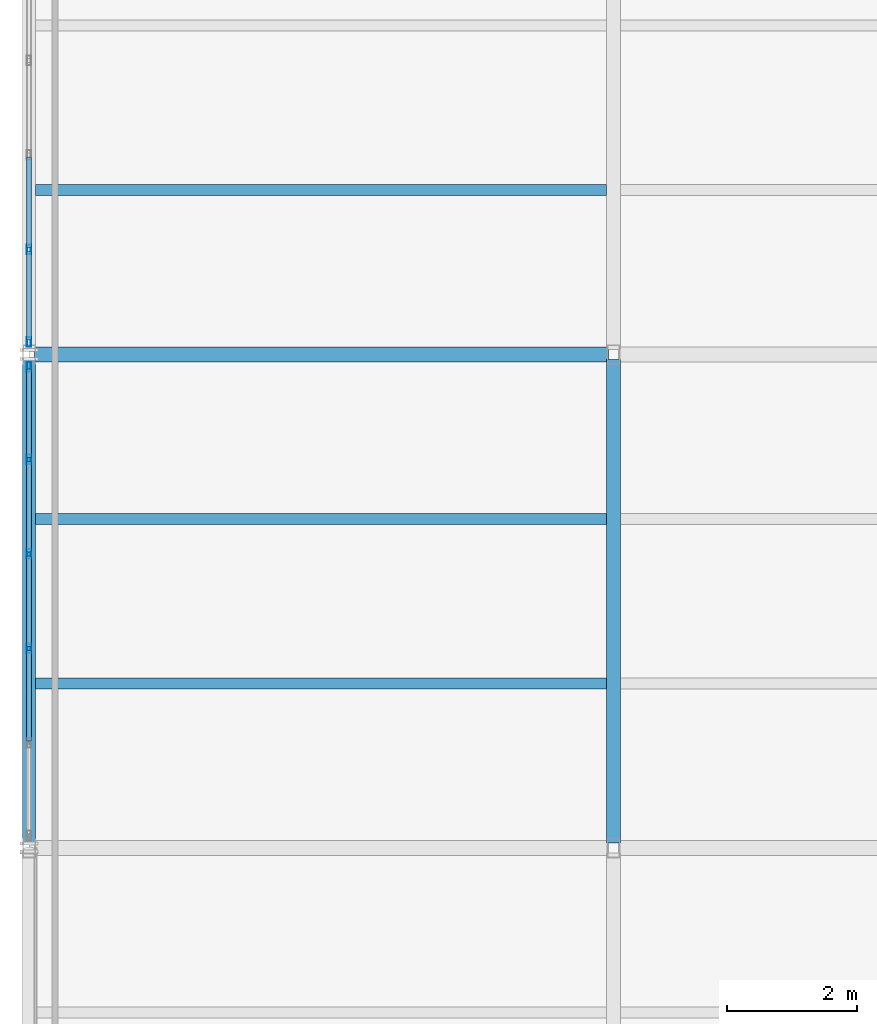
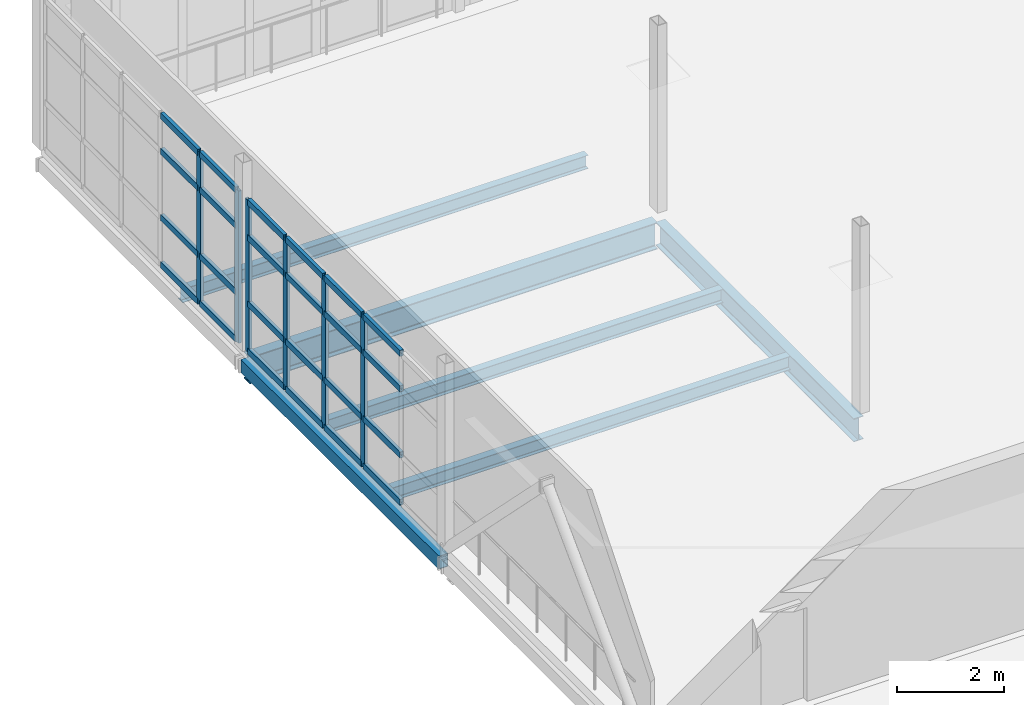
# One storey, part 39 of 166: 30 members, 6 beams, 2 elements without a shape of their own.
"""IFC4 building model written with IfcOpenShell, lengths in metres."""

import ifcopenshell
import ifcopenshell.guid

model = None  # the IFC model being written
_history = None  # IfcOwnerHistory: only IFC2X3 demands one
_inside = {}  # id of a spatial element -> (the spatial element, [elements in it])
_under = {}  # id of a project, library or spatial element -> (it, [spatial elements below it])
_declared = {}  # id of a project -> (the project, [libraries it declares])
_typed = {}  # id of a type object -> (the type object, [elements of that type])
_made_of = {}  # id of a material, layer set ... -> (it, [elements and type objects made of it])


def new_model(schema):
    """Start an empty IFC model of exactly this schema.

    Asked for "IFC4X3", IfcOpenShell would pick the latest addendum, in which some entities
    have other attributes; the version numbers below select the first issue.
    IFC2X3 requires an IfcOwnerHistory on every rooted entity: one is made here for all.
    """
    global model, _history
    if schema == "IFC4X3":
        model = ifcopenshell.file(schema_version=(4, 3, 0, 0))
    else:
        model = ifcopenshell.file(schema=schema)
    _inside.clear()
    _under.clear()
    _declared.clear()
    _typed.clear()
    _made_of.clear()
    _history = None
    if model.schema == "IFC2X3":
        org = make("IfcOrganization", Name="unknown")
        user = make(
            "IfcPersonAndOrganization",
            ThePerson=make("IfcPerson", FamilyName="unknown"),
            TheOrganization=org,
        )
        app = make(
            "IfcApplication",
            ApplicationDeveloper=org,
            Version="unknown",
            ApplicationFullName="unknown",
            ApplicationIdentifier="unknown",
        )
        _history = make(
            "IfcOwnerHistory",
            OwningUser=user,
            OwningApplication=app,
            ChangeAction="ADDED",
            CreationDate=0,
        )
    return model


def make(cls, **values):
    """One entity of the class cls with the attributes given. An attribute that is None is left unset."""
    return model.create_entity(
        cls, **{name: value for name, value in values.items() if value is not None}
    )


def rooted(cls, **values):
    """An entity with a GlobalId (a new one), such as an element, a storey or a relation."""
    return make(cls, GlobalId=ifcopenshell.guid.new(), OwnerHistory=_history, **values)


def si_unit(unit_type, name, prefix=None):
    """IfcSIUnit, for example si_unit("LENGTHUNIT", "METRE", prefix="MILLI")."""
    return make("IfcSIUnit", UnitType=unit_type, Prefix=prefix, Name=name)


def assignment(units):
    """IfcUnitAssignment: the units of a project."""
    return None if units is None else make("IfcUnitAssignment", Units=units)


def point(xyz):
    """IfcCartesianPoint."""
    return None if xyz is None else make("IfcCartesianPoint", Coordinates=xyz)


def direction(xyz):
    """IfcDirection."""
    return None if xyz is None else make("IfcDirection", DirectionRatios=xyz)


def frame(location, z_axis=None, x_axis=None):
    """IfcAxis2Placement3D, a coordinate frame: its origin and axes. An axis left out is left unset."""
    return make(
        "IfcAxis2Placement3D",
        Location=point(location),
        Axis=direction(z_axis),
        RefDirection=direction(x_axis),
    )


def frame_2d(location, x_axis=None):
    """IfcAxis2Placement2D, a coordinate frame in the plane: its origin and x axis."""
    return make(
        "IfcAxis2Placement2D", Location=point(location), RefDirection=direction(x_axis)
    )


def origin():
    """The frame at (0, 0, 0) with its axes left unset."""
    return frame((0.0, 0.0, 0.0))


def origin_2d():
    """The frame at (0, 0) in the plane with its x axis left unset."""
    return frame_2d((0.0, 0.0))


def place(relative_to, where):
    """IfcLocalPlacement: puts the frame where relative to a parent placement (None: the world)."""
    return make(
        "IfcLocalPlacement", PlacementRelTo=relative_to, RelativePlacement=where
    )


def context(
    kind, dimensions, precision=None, world=None, true_north=None, identifier=None
):
    """IfcGeometricRepresentationContext, for example the 3D "Model" context."""
    return make(
        "IfcGeometricRepresentationContext",
        ContextIdentifier=identifier,
        ContextType=kind,
        CoordinateSpaceDimension=dimensions,
        Precision=precision,
        WorldCoordinateSystem=world,
        TrueNorth=true_north,
    )


def subcontext(parent, identifier, kind, view, scale=None):
    """IfcGeometricRepresentationSubContext, for example "Body" below "Model"."""
    return make(
        "IfcGeometricRepresentationSubContext",
        ContextIdentifier=identifier,
        ContextType=kind,
        ParentContext=parent,
        TargetScale=scale,
        TargetView=view,
    )


def project(units=None, contexts=None):
    """IfcProject with its units and contexts."""
    return rooted(
        "IfcProject",
        Name="project",
        RepresentationContexts=contexts,
        UnitsInContext=assignment(units),
    )


def spatial(cls, under=None, at=None, **own):
    """A site, building, storey or space (cls), placed at a placement, below another one or the project."""
    s = rooted(cls, ObjectPlacement=at, **own)
    if under is not None:
        _under.setdefault(under.id(), (under, []))[1].append(s)
    return s


def profile(cls, at=None, kind="AREA", **sizes):
    """A parametric profile (cls). Its sizes go by their IFC names, for example OverallWidth=200.0."""
    return make(cls, ProfileType=kind, Position=at, **sizes)


def hollow_rectangle(**sizes):
    """IfcRectangleHollowProfileDef."""
    return profile("IfcRectangleHollowProfileDef", **sizes)


def i_section(**sizes):
    """IfcIShapeProfileDef."""
    return profile("IfcIShapeProfileDef", **sizes)


def extrude(swept, where, along, depth):
    """IfcExtrudedAreaSolid: the profile swept, set in the frame where, extruded along a direction by depth."""
    return make(
        "IfcExtrudedAreaSolid",
        SweptArea=swept,
        Position=where,
        ExtrudedDirection=direction(along),
        Depth=depth,
    )


def shape(context_of_items, identifier, shape_type, items):
    """IfcShapeRepresentation: the items that make up one representation, for example the "Body"."""
    return make(
        "IfcShapeRepresentation",
        ContextOfItems=context_of_items,
        RepresentationIdentifier=identifier,
        RepresentationType=shape_type,
        Items=items,
    )


def material(Name=None, Category=None):
    """IfcMaterial."""
    return make("IfcMaterial", Name=Name, Category=Category)


def material_profile(
    of_material, cross_section, Name=None, Category=None, Priority=None
):
    """IfcMaterialProfile: a cross section and its material."""
    return make(
        "IfcMaterialProfile",
        Name=Name,
        Material=of_material,
        Profile=cross_section,
        Priority=Priority,
        Category=Category,
    )


def profile_set(profiles, Name=None, composite=None):
    """IfcMaterialProfileSet."""
    return make(
        "IfcMaterialProfileSet",
        Name=Name,
        MaterialProfiles=profiles,
        CompositeProfile=composite,
    )


def made_of(thing, what):
    """Note that an element or type object is made of a material, layer set ...; save() writes the relation."""
    if what is not None:
        _made_of.setdefault(what.id(), (what, []))[1].append(thing)
    return thing


def type_object(cls, material=None, **own):
    """A type object (cls), such as IfcWallType, which elements share."""
    return made_of(rooted(cls, **own), material)


def element(
    cls,
    number,
    at=None,
    inside=None,
    cuts=None,
    type_object=None,
    material=None,
    context=None,
    identifier="Body",
    shape_type=None,
    held_by="IfcProductDefinitionShape",
    body=None,
    shapes=None,
    **own,
):
    """One element of the class cls, such as IfcWall. Its Tag is "e" and its number.

    at: its placement. inside: the storey or other place that contains it. cuts: it is an
    opening in that element (IfcRelVoidsElement). A single representation is given by context,
    identifier, shape_type and body (its items); several are given by shapes. held_by: the class
    of the entity that holds the representations. save() writes the other relations.
    """
    e = rooted(cls, Tag="e%d" % number, ObjectPlacement=at, **own)
    if body is not None:
        shapes = [shape(context, identifier, shape_type, body)]
    if shapes is not None:
        e.Representation = make(held_by, Representations=shapes)
    if inside is not None:
        _inside.setdefault(inside.id(), (inside, []))[1].append(e)
    if cuts is not None:
        rooted(
            "IfcRelVoidsElement", RelatingBuildingElement=cuts, RelatedOpeningElement=e
        )
    if type_object is not None:
        _typed.setdefault(type_object.id(), (type_object, []))[1].append(e)
    return made_of(e, material)


def aggregate(whole, parts):
    """IfcRelAggregates: a whole, such as a stair, and the parts it consists of."""
    return rooted("IfcRelAggregates", RelatingObject=whole, RelatedObjects=parts)


def save(model, path):
    """Write the relations noted so far, then the file.

    IfcRelAggregates (storeys below a building ...), IfcRelContainedInSpatialStructure (elements
    in a storey), IfcRelDefinesByType, IfcRelAssociatesMaterial and IfcRelDeclares: one each for
    every whole, place, type object, material and project.
    """
    for whole, parts in _under.values():
        aggregate(whole, parts)
    for where, things in _inside.values():
        rooted(
            "IfcRelContainedInSpatialStructure",
            RelatedElements=things,
            RelatingStructure=where,
        )
    for kind, things in _typed.values():
        rooted("IfcRelDefinesByType", RelatedObjects=things, RelatingType=kind)
    for what, things in _made_of.values():
        rooted("IfcRelAssociatesMaterial", RelatedObjects=things, RelatingMaterial=what)
    for by, libraries in _declared.values():
        rooted("IfcRelDeclares", RelatingContext=by, RelatedDefinitions=libraries)
    model.write(path)


model = new_model("IFC4")

# Units and contexts
model_context = context("Model", 3, precision=1e-05, world=origin(), true_north=direction((0.0, 1.0)))
body_context = subcontext(model_context, "Body", "Model", "MODEL_VIEW")
ifc_project = project(units=[si_unit("LENGTHUNIT", "METRE"), si_unit("AREAUNIT", "SQUARE_METRE"), si_unit("VOLUMEUNIT", "CUBIC_METRE"), si_unit("PLANEANGLEUNIT", "RADIAN"), si_unit("MASSUNIT", "GRAM", prefix="KILO")], contexts=[model_context])

# Site, building, storey
site_placement = place(None, origin())
site = spatial("IfcSite", under=ifc_project, at=site_placement, CompositionType="ELEMENT")
building_placement = place(site_placement, origin())
building = spatial("IfcBuilding", under=site, at=building_placement, Name="Caisbarro Railhouse Central Library", CompositionType="ELEMENT")
storey_placement = place(building_placement, frame((0.0, 0.0, 9.360107421875)))
storey = spatial("IfcBuildingStorey", under=building, at=storey_placement, Name="L02", CompositionType="ELEMENT", Elevation=9.360107421875)

# Beams
ifc_material_1 = material(Name="Steel ASTM A572 Grade 50", Category="steel")
ifc_material_profile_1 = material_profile(ifc_material_1, i_section(OverallWidth=0.22802734375, OverallDepth=0.60791015625, WebThickness=0.01123046875, FlangeThickness=0.017333984375, FilletRadius=0.02197265625, at=origin_2d()), Name="W610X113.0")
ifc_profile_set_1 = profile_set([ifc_material_profile_1], Name="Steel ASTM A572 Grade 50")
beam_type_1 = type_object("IfcBeamType", Name="BM-G04", PredefinedType="BEAM", material=ifc_profile_set_1)
beam_1_placement = place(storey_placement, frame((0.080078125, 53.199951171875, -0.524169921875), z_axis=(1.0, 0.0, 0.0), x_axis=(0.0, 1.0, 0.0)))
element("IfcBeam", 1, at=beam_1_placement, inside=storey, type_object=beam_type_1, Name="G04 beam L02 #1372", PredefinedType="BEAM", context=body_context, shape_type="SweptSolid", body=[
    extrude(i_section(OverallWidth=0.22802734375, OverallDepth=0.60791015625, WebThickness=0.01123046875, FlangeThickness=0.017333984375, FilletRadius=0.02197265625, at=origin_2d()), origin(), (0.0, 0.0, 1.0), 8.83984375),
])
ifc_material_profile_2 = material_profile(ifc_material_1, i_section(OverallWidth=0.208984375, OverallDepth=0.532958984375, WebThickness=0.01025390625, FlangeThickness=0.015625, FilletRadius=0.02001953125, at=origin_2d()), Name="W530X92.0")
ifc_profile_set_2 = profile_set([ifc_material_profile_2], Name="Steel ASTM A572 Grade 50")
beam_type_2 = type_object("IfcBeamType", Name="BM-G06", PredefinedType="BEAM", material=ifc_profile_set_2)
beam_2_placement = place(storey_placement, frame((9.0, 45.679931640625, -0.486572265625), z_axis=(0.0, 1.0, 0.0), x_axis=(-1.0, 0.0, 0.0)))
element("IfcBeam", 2, at=beam_2_placement, inside=storey, type_object=beam_type_2, Name="G06 beam L02 #1394", PredefinedType="BEAM", context=body_context, shape_type="SweptSolid", body=[
    extrude(i_section(OverallWidth=0.208984375, OverallDepth=0.532958984375, WebThickness=0.01025390625, FlangeThickness=0.015625, FilletRadius=0.02001953125, at=origin_2d()), origin(), (0.0, 0.0, 1.0), 7.440185546875),
])
ifc_material_profile_3 = material_profile(ifc_material_1, i_section(OverallWidth=0.1650390625, OverallDepth=0.31005859375, WebThickness=0.005859375, FlangeThickness=0.009765625, FilletRadius=0.011962890625, at=origin_2d()), Name="W310X38.7")
ifc_profile_set_3 = profile_set([ifc_material_profile_3], Name="Steel ASTM A572 Grade 50")
beam_type_3 = type_object("IfcBeamType", Name="BM-J03", PredefinedType="JOIST", material=ifc_profile_set_3)
for number, where, z_axis, x_axis, name in (
    (3, (0.10009765625, 48.13330078125, -0.375), (1.0, 0.0, 0.0), (0.0, 1.0, 0.0), "J03 beam L02 #1422"),
    (4, (0.10009765625, 50.666748046875, -0.375), (1.0, 0.0, 0.0), (0.0, 1.0, 0.0), "J03 beam L02 #1423"),
    (5, (0.10009765625, 55.7333984375, -0.375), (1.0, 0.0, 0.0), (0.0, 1.0, 0.0), "J03 beam L02 #1424"),
):
    element("IfcBeam", number, at=place(storey_placement, frame(where, z_axis=z_axis, x_axis=x_axis)), inside=storey, type_object=beam_type_3, Name=name, PredefinedType="JOIST", context=body_context, shape_type="SweptSolid", body=[
        extrude(i_section(OverallWidth=0.1650390625, OverallDepth=0.31005859375, WebThickness=0.005859375, FlangeThickness=0.009765625, FilletRadius=0.011962890625, at=origin_2d()), origin(), (0.0, 0.0, 1.0), 8.79541015625),
    ])
ifc_material_profile_4 = material_profile(ifc_material_1, hollow_rectangle(XDim=0.199951171875, YDim=0.300048828125, WallThickness=0.012451171875, at=origin_2d()), Name="HSS300X200X12.5")
ifc_profile_set_4 = profile_set([ifc_material_profile_4], Name="Steel ASTM A572 Grade 50")
beam_type_4 = type_object("IfcBeamType", Name="BM-SP02", PredefinedType="SPANDREL", material=ifc_profile_set_4)
beam_3_placement = place(storey_placement, frame((0.0, 45.679931640625, -0.3701171875), z_axis=(0.0, 1.0, 0.0), x_axis=(-1.0, 0.0, 0.0)))
element("IfcBeam", 6, at=beam_3_placement, inside=storey, type_object=beam_type_4, Name="SP02 beam L02 #1390", PredefinedType="SPANDREL", context=body_context, shape_type="SweptSolid", body=[
    extrude(hollow_rectangle(XDim=0.199951171875, YDim=0.300048828125, WallThickness=0.012451171875, at=origin_2d()), origin(), (0.0, 0.0, 1.0), 7.440185546875),
])

# Curtain wall, members
ifc_material_2 = material(Name="Anodised architectural aluminium", Category="aluminium")
curtain_wall_type = type_object("IfcCurtainWallType", Name="CW-CW02", PredefinedType="NOTDEFINED", material=ifc_material_2)
curtain_wall_1_placement = place(storey_placement, origin())
curtain_wall_1 = element("IfcCurtainWall", 7, at=curtain_wall_1_placement, inside=storey, type_object=curtain_wall_type, Name="CW02 curtain wall L02 #38", PredefinedType="NOTDEFINED")
ifc_material_profile_5 = material_profile(ifc_material_2, hollow_rectangle(XDim=0.06494140625, YDim=0.14990234375, WallThickness=0.00390625, at=origin_2d()), Name="ALU-MUL-65X150")
ifc_profile_set_5 = profile_set([ifc_material_profile_5], Name="Anodised architectural aluminium")
member_type_1 = type_object("IfcMemberType", Name="CWM-M02", PredefinedType="MULLION", material=ifc_profile_set_5)
member_1_placement = place(storey_placement, frame((0.0, 48.672119140625, 0.0), z_axis=(0.0, 0.0, 1.0), x_axis=(-1.0, 0.0, 0.0)))
member_1 = element("IfcMember", 8, at=member_1_placement, type_object=member_type_1, Name="CW02 mullion 3", PredefinedType="MULLION", context=body_context, shape_type="SweptSolid", body=[
    extrude(hollow_rectangle(XDim=0.06494140625, YDim=0.14990234375, WallThickness=0.00390625, at=origin_2d()), origin(), (0.0, 0.0, 1.0), 3.489990234375),
])
member_2_placement = place(storey_placement, frame((0.0, 50.1279296875, 0.0), z_axis=(0.0, 0.0, 1.0), x_axis=(-1.0, 0.0, 0.0)))
member_2 = element("IfcMember", 9, at=member_2_placement, type_object=member_type_1, Name="CW02 mullion 4", PredefinedType="MULLION", context=body_context, shape_type="SweptSolid", body=[
    extrude(hollow_rectangle(XDim=0.06494140625, YDim=0.14990234375, WallThickness=0.00390625, at=origin_2d()), origin(), (0.0, 0.0, 1.0), 3.489990234375),
])
member_3_placement = place(storey_placement, frame((0.0, 51.583984375, 0.0), z_axis=(0.0, 0.0, 1.0), x_axis=(-1.0, 0.0, 0.0)))
member_3 = element("IfcMember", 10, at=member_3_placement, type_object=member_type_1, Name="CW02 mullion 5", PredefinedType="MULLION", context=body_context, shape_type="SweptSolid", body=[
    extrude(hollow_rectangle(XDim=0.06494140625, YDim=0.14990234375, WallThickness=0.00390625, at=origin_2d()), origin(), (0.0, 0.0, 1.0), 3.489990234375),
])
member_4_placement = place(storey_placement, frame((0.0, 53.007568359375, 0.0), z_axis=(0.0, 0.0, 1.0), x_axis=(-1.0, 0.0, 0.0)))
member_4 = element("IfcMember", 11, at=member_4_placement, type_object=member_type_1, Name="CW02 mullion 6", PredefinedType="MULLION", context=body_context, shape_type="SweptSolid", body=[
    extrude(hollow_rectangle(XDim=0.06494140625, YDim=0.14990234375, WallThickness=0.00390625, at=origin_2d()), origin(), (0.0, 0.0, 1.0), 3.489990234375),
])

curtain_wall_2_placement = place(storey_placement, origin())
curtain_wall_2 = element("IfcCurtainWall", 12, at=curtain_wall_2_placement, inside=storey, type_object=curtain_wall_type, Name="CW02 curtain wall L02 #39", PredefinedType="NOTDEFINED")
member_5_placement = place(storey_placement, frame((0.0, 53.392578125, 0.0), z_axis=(0.0, 0.0, 1.0), x_axis=(-1.0, 0.0, 0.0)))
member_5 = element("IfcMember", 13, at=member_5_placement, type_object=member_type_1, Name="CW02 mullion 1", PredefinedType="MULLION", context=body_context, shape_type="SweptSolid", body=[
    extrude(hollow_rectangle(XDim=0.06494140625, YDim=0.14990234375, WallThickness=0.00390625, at=origin_2d()), origin(), (0.0, 0.0, 1.0), 3.489990234375),
])
member_6_placement = place(storey_placement, frame((0.0, 54.81591796875, 0.0), z_axis=(0.0, 0.0, 1.0), x_axis=(-1.0, 0.0, 0.0)))
member_6 = element("IfcMember", 14, at=member_6_placement, type_object=member_type_1, Name="CW02 mullion 2", PredefinedType="MULLION", context=body_context, shape_type="SweptSolid", body=[
    extrude(hollow_rectangle(XDim=0.06494140625, YDim=0.14990234375, WallThickness=0.00390625, at=origin_2d()), origin(), (0.0, 0.0, 1.0), 3.489990234375),
])

# Member
ifc_material_profile_6 = material_profile(ifc_material_2, hollow_rectangle(XDim=0.074951171875, YDim=0.139892578125, WallThickness=0.00390625, at=origin_2d()), Name="ALU-TRN-75X140")
ifc_profile_set_6 = profile_set([ifc_material_profile_6], Name="Anodised architectural aluminium")
member_type_2 = type_object("IfcMemberType", Name="CWT-T01", PredefinedType="USERDEFINED", material=ifc_profile_set_6)
member_7_placement = place(storey_placement, frame((0.0, 47.24853515625, 0.037353515625), z_axis=(0.0, 1.0, 0.0), x_axis=(-1.0, 0.0, 0.0)))
member_7 = element("IfcMember", 15, at=member_7_placement, type_object=member_type_2, Name="CW02 transom 2.1", ObjectType="TRANSOM", PredefinedType="USERDEFINED", context=body_context, shape_type="SweptSolid", body=[
    extrude(hollow_rectangle(XDim=0.074951171875, YDim=0.139892578125, WallThickness=0.00390625, at=origin_2d()), origin(), (0.0, 0.0, 1.0), 1.390869140625),
])

member_8_placement = place(storey_placement, frame((0.0, 47.24853515625, 1.119873046875), z_axis=(0.0, 1.0, 0.0), x_axis=(-1.0, 0.0, 0.0)))
member_8 = element("IfcMember", 16, at=member_8_placement, type_object=member_type_2, Name="CW02 transom 2.2", ObjectType="TRANSOM", PredefinedType="USERDEFINED", context=body_context, shape_type="SweptSolid", body=[
    extrude(hollow_rectangle(XDim=0.074951171875, YDim=0.139892578125, WallThickness=0.00390625, at=origin_2d()), origin(), (0.0, 0.0, 1.0), 1.390869140625),
])

member_9_placement = place(storey_placement, frame((0.0, 47.24853515625, 2.639892578125), z_axis=(0.0, 1.0, 0.0), x_axis=(-1.0, 0.0, 0.0)))
member_9 = element("IfcMember", 17, at=member_9_placement, type_object=member_type_2, Name="CW02 transom 2.3", ObjectType="TRANSOM", PredefinedType="USERDEFINED", context=body_context, shape_type="SweptSolid", body=[
    extrude(hollow_rectangle(XDim=0.074951171875, YDim=0.139892578125, WallThickness=0.00390625, at=origin_2d()), origin(), (0.0, 0.0, 1.0), 1.390869140625),
])

member_10_placement = place(storey_placement, frame((0.0, 47.24853515625, 3.452392578125), z_axis=(0.0, 1.0, 0.0), x_axis=(-1.0, 0.0, 0.0)))
member_10 = element("IfcMember", 18, at=member_10_placement, type_object=member_type_2, Name="CW02 transom 2.4", ObjectType="TRANSOM", PredefinedType="USERDEFINED", context=body_context, shape_type="SweptSolid", body=[
    extrude(hollow_rectangle(XDim=0.074951171875, YDim=0.139892578125, WallThickness=0.00390625, at=origin_2d()), origin(), (0.0, 0.0, 1.0), 1.390869140625),
])

member_11_placement = place(storey_placement, frame((0.0, 48.70458984375, 0.037353515625), z_axis=(0.0, 1.0, 0.0), x_axis=(-1.0, 0.0, 0.0)))
member_11 = element("IfcMember", 19, at=member_11_placement, type_object=member_type_2, Name="CW02 transom 3.1", ObjectType="TRANSOM", PredefinedType="USERDEFINED", context=body_context, shape_type="SweptSolid", body=[
    extrude(hollow_rectangle(XDim=0.074951171875, YDim=0.139892578125, WallThickness=0.00390625, at=origin_2d()), origin(), (0.0, 0.0, 1.0), 1.390869140625),
])

member_12_placement = place(storey_placement, frame((0.0, 48.70458984375, 1.119873046875), z_axis=(0.0, 1.0, 0.0), x_axis=(-1.0, 0.0, 0.0)))
member_12 = element("IfcMember", 20, at=member_12_placement, type_object=member_type_2, Name="CW02 transom 3.2", ObjectType="TRANSOM", PredefinedType="USERDEFINED", context=body_context, shape_type="SweptSolid", body=[
    extrude(hollow_rectangle(XDim=0.074951171875, YDim=0.139892578125, WallThickness=0.00390625, at=origin_2d()), origin(), (0.0, 0.0, 1.0), 1.390869140625),
])

member_13_placement = place(storey_placement, frame((0.0, 48.70458984375, 2.639892578125), z_axis=(0.0, 1.0, 0.0), x_axis=(-1.0, 0.0, 0.0)))
member_13 = element("IfcMember", 21, at=member_13_placement, type_object=member_type_2, Name="CW02 transom 3.3", ObjectType="TRANSOM", PredefinedType="USERDEFINED", context=body_context, shape_type="SweptSolid", body=[
    extrude(hollow_rectangle(XDim=0.074951171875, YDim=0.139892578125, WallThickness=0.00390625, at=origin_2d()), origin(), (0.0, 0.0, 1.0), 1.390869140625),
])

member_14_placement = place(storey_placement, frame((0.0, 48.70458984375, 3.452392578125), z_axis=(0.0, 1.0, 0.0), x_axis=(-1.0, 0.0, 0.0)))
member_14 = element("IfcMember", 22, at=member_14_placement, type_object=member_type_2, Name="CW02 transom 3.4", ObjectType="TRANSOM", PredefinedType="USERDEFINED", context=body_context, shape_type="SweptSolid", body=[
    extrude(hollow_rectangle(XDim=0.074951171875, YDim=0.139892578125, WallThickness=0.00390625, at=origin_2d()), origin(), (0.0, 0.0, 1.0), 1.390869140625),
])

member_15_placement = place(storey_placement, frame((0.0, 50.160400390625, 0.037353515625), z_axis=(0.0, 1.0, 0.0), x_axis=(-1.0, 0.0, 0.0)))
member_15 = element("IfcMember", 23, at=member_15_placement, type_object=member_type_2, Name="CW02 transom 4.1", ObjectType="TRANSOM", PredefinedType="USERDEFINED", context=body_context, shape_type="SweptSolid", body=[
    extrude(hollow_rectangle(XDim=0.074951171875, YDim=0.139892578125, WallThickness=0.00390625, at=origin_2d()), origin(), (0.0, 0.0, 1.0), 1.39111328125),
])

member_16_placement = place(storey_placement, frame((0.0, 50.160400390625, 1.119873046875), z_axis=(0.0, 1.0, 0.0), x_axis=(-1.0, 0.0, 0.0)))
member_16 = element("IfcMember", 24, at=member_16_placement, type_object=member_type_2, Name="CW02 transom 4.2", ObjectType="TRANSOM", PredefinedType="USERDEFINED", context=body_context, shape_type="SweptSolid", body=[
    extrude(hollow_rectangle(XDim=0.074951171875, YDim=0.139892578125, WallThickness=0.00390625, at=origin_2d()), origin(), (0.0, 0.0, 1.0), 1.39111328125),
])

member_17_placement = place(storey_placement, frame((0.0, 50.160400390625, 2.639892578125), z_axis=(0.0, 1.0, 0.0), x_axis=(-1.0, 0.0, 0.0)))
member_17 = element("IfcMember", 25, at=member_17_placement, type_object=member_type_2, Name="CW02 transom 4.3", ObjectType="TRANSOM", PredefinedType="USERDEFINED", context=body_context, shape_type="SweptSolid", body=[
    extrude(hollow_rectangle(XDim=0.074951171875, YDim=0.139892578125, WallThickness=0.00390625, at=origin_2d()), origin(), (0.0, 0.0, 1.0), 1.39111328125),
])

member_18_placement = place(storey_placement, frame((0.0, 50.160400390625, 3.452392578125), z_axis=(0.0, 1.0, 0.0), x_axis=(-1.0, 0.0, 0.0)))
member_18 = element("IfcMember", 26, at=member_18_placement, type_object=member_type_2, Name="CW02 transom 4.4", ObjectType="TRANSOM", PredefinedType="USERDEFINED", context=body_context, shape_type="SweptSolid", body=[
    extrude(hollow_rectangle(XDim=0.074951171875, YDim=0.139892578125, WallThickness=0.00390625, at=origin_2d()), origin(), (0.0, 0.0, 1.0), 1.39111328125),
])

member_19_placement = place(storey_placement, frame((0.0, 51.616455078125, 0.037353515625), z_axis=(0.0, 1.0, 0.0), x_axis=(-1.0, 0.0, 0.0)))
member_19 = element("IfcMember", 27, at=member_19_placement, type_object=member_type_2, Name="CW02 transom 5.1", ObjectType="TRANSOM", PredefinedType="USERDEFINED", context=body_context, shape_type="SweptSolid", body=[
    extrude(hollow_rectangle(XDim=0.074951171875, YDim=0.139892578125, WallThickness=0.00390625, at=origin_2d()), origin(), (0.0, 0.0, 1.0), 1.358642578125),
])

member_20_placement = place(storey_placement, frame((0.0, 51.616455078125, 1.119873046875), z_axis=(0.0, 1.0, 0.0), x_axis=(-1.0, 0.0, 0.0)))
member_20 = element("IfcMember", 28, at=member_20_placement, type_object=member_type_2, Name="CW02 transom 5.2", ObjectType="TRANSOM", PredefinedType="USERDEFINED", context=body_context, shape_type="SweptSolid", body=[
    extrude(hollow_rectangle(XDim=0.074951171875, YDim=0.139892578125, WallThickness=0.00390625, at=origin_2d()), origin(), (0.0, 0.0, 1.0), 1.358642578125),
])

member_21_placement = place(storey_placement, frame((0.0, 51.616455078125, 2.639892578125), z_axis=(0.0, 1.0, 0.0), x_axis=(-1.0, 0.0, 0.0)))
member_21 = element("IfcMember", 29, at=member_21_placement, type_object=member_type_2, Name="CW02 transom 5.3", ObjectType="TRANSOM", PredefinedType="USERDEFINED", context=body_context, shape_type="SweptSolid", body=[
    extrude(hollow_rectangle(XDim=0.074951171875, YDim=0.139892578125, WallThickness=0.00390625, at=origin_2d()), origin(), (0.0, 0.0, 1.0), 1.358642578125),
])

member_22_placement = place(storey_placement, frame((0.0, 51.616455078125, 3.452392578125), z_axis=(0.0, 1.0, 0.0), x_axis=(-1.0, 0.0, 0.0)))
member_22 = element("IfcMember", 30, at=member_22_placement, type_object=member_type_2, Name="CW02 transom 5.4", ObjectType="TRANSOM", PredefinedType="USERDEFINED", context=body_context, shape_type="SweptSolid", body=[
    extrude(hollow_rectangle(XDim=0.074951171875, YDim=0.139892578125, WallThickness=0.00390625, at=origin_2d()), origin(), (0.0, 0.0, 1.0), 1.358642578125),
])

aggregate(curtain_wall_1, [member_1, member_2, member_3, member_4, member_7, member_8, member_9, member_10, member_11, member_12, member_13, member_14, member_15, member_16, member_17, member_18, member_19, member_20, member_21, member_22])

member_23_placement = place(storey_placement, frame((0.0, 53.425048828125, 0.037353515625), z_axis=(0.0, 1.0, 0.0), x_axis=(-1.0, 0.0, 0.0)))
member_23 = element("IfcMember", 31, at=member_23_placement, type_object=member_type_2, Name="CW02 transom 1.1", ObjectType="TRANSOM", PredefinedType="USERDEFINED", context=body_context, shape_type="SweptSolid", body=[
    extrude(hollow_rectangle(XDim=0.074951171875, YDim=0.139892578125, WallThickness=0.00390625, at=origin_2d()), origin(), (0.0, 0.0, 1.0), 1.3583984375),
])

member_24_placement = place(storey_placement, frame((0.0, 53.425048828125, 1.119873046875), z_axis=(0.0, 1.0, 0.0), x_axis=(-1.0, 0.0, 0.0)))
member_24 = element("IfcMember", 32, at=member_24_placement, type_object=member_type_2, Name="CW02 transom 1.2", ObjectType="TRANSOM", PredefinedType="USERDEFINED", context=body_context, shape_type="SweptSolid", body=[
    extrude(hollow_rectangle(XDim=0.074951171875, YDim=0.139892578125, WallThickness=0.00390625, at=origin_2d()), origin(), (0.0, 0.0, 1.0), 1.3583984375),
])

member_25_placement = place(storey_placement, frame((0.0, 53.425048828125, 2.639892578125), z_axis=(0.0, 1.0, 0.0), x_axis=(-1.0, 0.0, 0.0)))
member_25 = element("IfcMember", 33, at=member_25_placement, type_object=member_type_2, Name="CW02 transom 1.3", ObjectType="TRANSOM", PredefinedType="USERDEFINED", context=body_context, shape_type="SweptSolid", body=[
    extrude(hollow_rectangle(XDim=0.074951171875, YDim=0.139892578125, WallThickness=0.00390625, at=origin_2d()), origin(), (0.0, 0.0, 1.0), 1.3583984375),
])

member_26_placement = place(storey_placement, frame((0.0, 53.425048828125, 3.452392578125), z_axis=(0.0, 1.0, 0.0), x_axis=(-1.0, 0.0, 0.0)))
member_26 = element("IfcMember", 34, at=member_26_placement, type_object=member_type_2, Name="CW02 transom 1.4", ObjectType="TRANSOM", PredefinedType="USERDEFINED", context=body_context, shape_type="SweptSolid", body=[
    extrude(hollow_rectangle(XDim=0.074951171875, YDim=0.139892578125, WallThickness=0.00390625, at=origin_2d()), origin(), (0.0, 0.0, 1.0), 1.3583984375),
])

member_27_placement = place(storey_placement, frame((0.0, 54.848388671875, 0.037353515625), z_axis=(0.0, 1.0, 0.0), x_axis=(-1.0, 0.0, 0.0)))
member_27 = element("IfcMember", 35, at=member_27_placement, type_object=member_type_2, Name="CW02 transom 2.1", ObjectType="TRANSOM", PredefinedType="USERDEFINED", context=body_context, shape_type="SweptSolid", body=[
    extrude(hollow_rectangle(XDim=0.074951171875, YDim=0.139892578125, WallThickness=0.00390625, at=origin_2d()), origin(), (0.0, 0.0, 1.0), 1.39111328125),
])

member_28_placement = place(storey_placement, frame((0.0, 54.848388671875, 1.119873046875), z_axis=(0.0, 1.0, 0.0), x_axis=(-1.0, 0.0, 0.0)))
member_28 = element("IfcMember", 36, at=member_28_placement, type_object=member_type_2, Name="CW02 transom 2.2", ObjectType="TRANSOM", PredefinedType="USERDEFINED", context=body_context, shape_type="SweptSolid", body=[
    extrude(hollow_rectangle(XDim=0.074951171875, YDim=0.139892578125, WallThickness=0.00390625, at=origin_2d()), origin(), (0.0, 0.0, 1.0), 1.39111328125),
])

member_29_placement = place(storey_placement, frame((0.0, 54.848388671875, 2.639892578125), z_axis=(0.0, 1.0, 0.0), x_axis=(-1.0, 0.0, 0.0)))
member_29 = element("IfcMember", 37, at=member_29_placement, type_object=member_type_2, Name="CW02 transom 2.3", ObjectType="TRANSOM", PredefinedType="USERDEFINED", context=body_context, shape_type="SweptSolid", body=[
    extrude(hollow_rectangle(XDim=0.074951171875, YDim=0.139892578125, WallThickness=0.00390625, at=origin_2d()), origin(), (0.0, 0.0, 1.0), 1.39111328125),
])

member_30_placement = place(storey_placement, frame((0.0, 54.848388671875, 3.452392578125), z_axis=(0.0, 1.0, 0.0), x_axis=(-1.0, 0.0, 0.0)))
member_30 = element("IfcMember", 38, at=member_30_placement, type_object=member_type_2, Name="CW02 transom 2.4", ObjectType="TRANSOM", PredefinedType="USERDEFINED", context=body_context, shape_type="SweptSolid", body=[
    extrude(hollow_rectangle(XDim=0.074951171875, YDim=0.139892578125, WallThickness=0.00390625, at=origin_2d()), origin(), (0.0, 0.0, 1.0), 1.39111328125),
])

aggregate(curtain_wall_2, [member_5, member_6, member_23, member_24, member_25, member_26, member_27, member_28, member_29, member_30])

save(model, "model.ifc")
